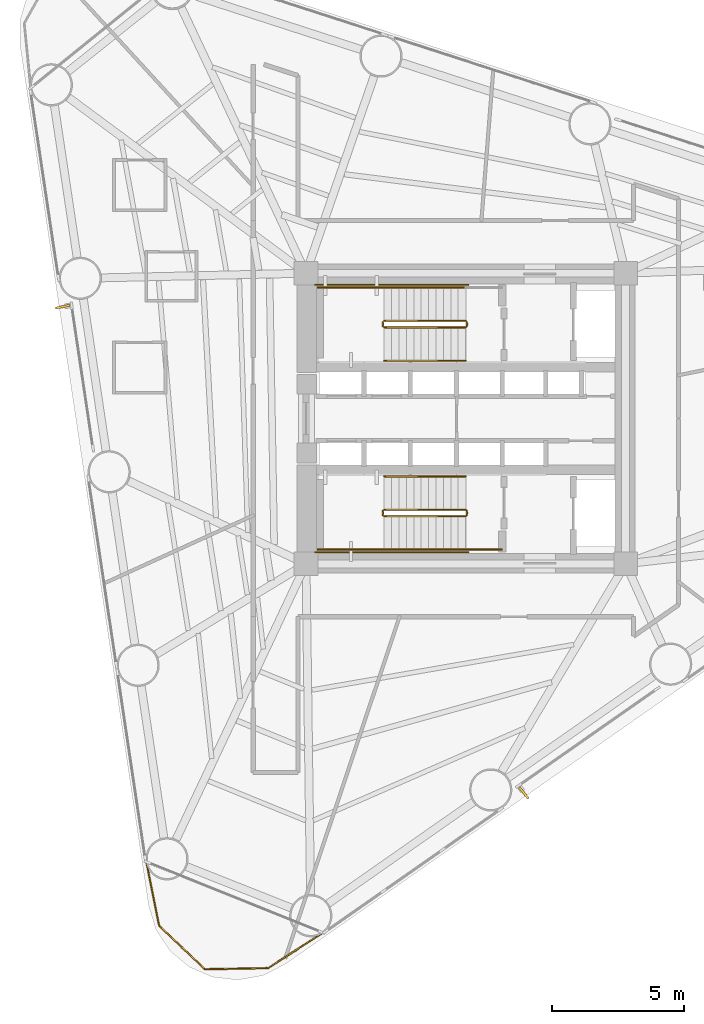
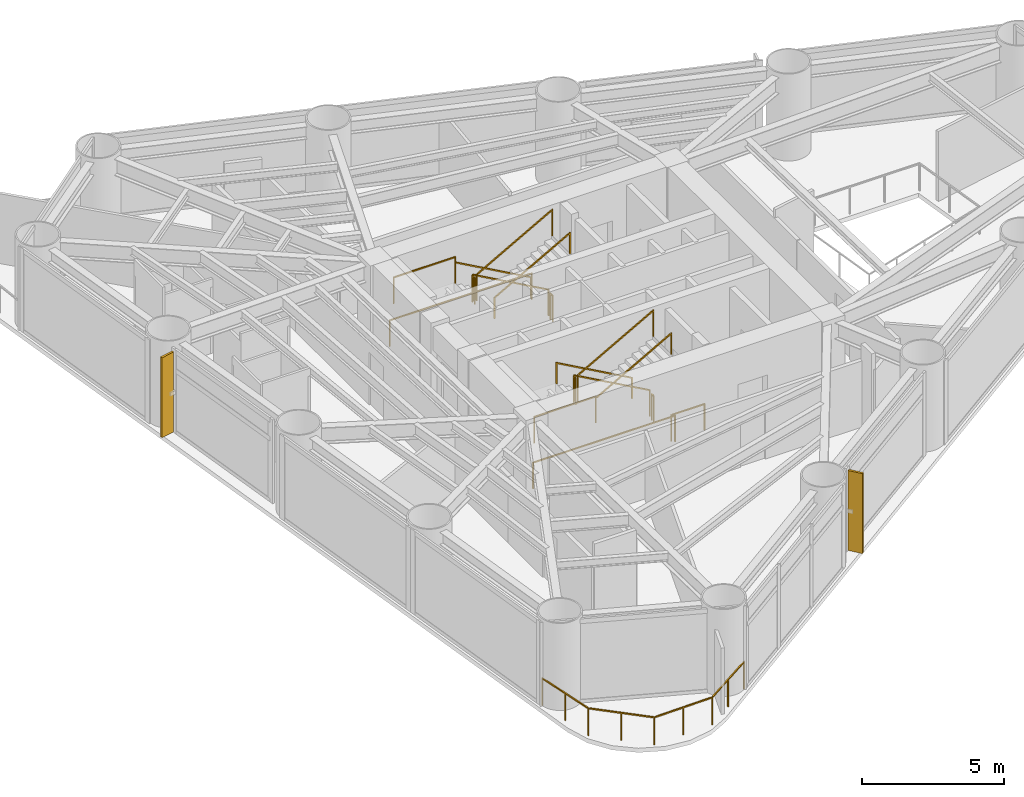
# One storey, part 8 of 9: 18 railings, 2 shading devices.
"""IFC4 building model written with IfcOpenShell, lengths in metres."""

from ifc_helpers import new_model, si_unit, direction, frame, origin, origin_2d, place, context, subcontext, project, spatial, rectangle, extrude, source, transform, mapped, material, material_profile, profile_set, type_object, element, save


model = new_model("IFC4")

# Units and contexts
model_context = context("Model", 3, precision=1e-05, world=origin(), true_north=direction((0.0, 1.0)))
body_context = subcontext(model_context, "Body", "Model", "MODEL_VIEW")
ifc_project = project(units=[si_unit("LENGTHUNIT", "METRE"), si_unit("AREAUNIT", "SQUARE_METRE"), si_unit("VOLUMEUNIT", "CUBIC_METRE"), si_unit("PLANEANGLEUNIT", "RADIAN"), si_unit("MASSUNIT", "GRAM", prefix="KILO")], contexts=[model_context])

# Site, building, storey
site_placement = place(None, origin())
site = spatial("IfcSite", under=ifc_project, at=site_placement, CompositionType="ELEMENT")
building_placement = place(site_placement, origin())
building = spatial("IfcBuilding", under=site, at=building_placement, Name="Yunling Apex Tower", CompositionType="ELEMENT")
storey_placement = place(building_placement, frame((0.0, 0.0, 58.550048828125)))
storey = spatial("IfcBuildingStorey", under=building, at=storey_placement, Name="L15", CompositionType="ELEMENT", Elevation=58.550048828125)

# Railings
ifc_material_1 = material(Name="Bronze anodised aluminium", Category="aluminium")
railing_type_1 = type_object("IfcRailingType", Name="RL-BAL-1200", PredefinedType="BALUSTRADE", material=ifc_material_1)
railing_1_placement = place(storey_placement, frame((-5.41552734375, -19.466796875, 0.0)))
element("IfcRailing", 1, at=railing_1_placement, inside=storey, type_object=railing_type_1, Name="RL-CRNSILL-L15-3", PredefinedType="BALUSTRADE", context=body_context, shape_type="SweptSolid", body=[
    extrude(rectangle(XDim=0.0439453125, YDim=0.0439453125, at=origin_2d()), origin(), (0.0, 0.0, 1.0), 1.199951171875),
    extrude(rectangle(XDim=0.0439453125, YDim=0.0439453125, at=origin_2d()), frame((-2.069091796875, -1.3349609375, 0.0)), (0.0, 0.0, 1.0), 1.199951171875),
    extrude(rectangle(XDim=0.050048828125, YDim=0.050048828125, at=origin_2d()), frame((-0.0322265625, -0.020751953125, 1.1748046875), z_axis=(-0.840284992051, -0.542144936464, 0.0), x_axis=(0.542144936464, -0.840284992051, 0.0)), (0.0, 0.0, 1.0), 2.3857421875),
    extrude(rectangle(XDim=0.0439453125, YDim=0.0439453125, at=origin_2d()), frame((-1.03466796875, -0.66748046875, 0.0)), (0.0, 0.0, 1.0), 1.14599609375),
    extrude(rectangle(XDim=0.0439453125, YDim=0.0439453125, at=origin_2d()), frame((-4.456787109375, -1.3779296875, 0.0)), (0.0, 0.0, 1.0), 1.199951171875),
    extrude(rectangle(XDim=0.050048828125, YDim=0.050048828125, at=origin_2d()), frame((-2.107421875, -1.335693359375, 1.1748046875), z_axis=(-0.999838112931, -0.017992996715, 0.0), x_axis=(0.017992996715, -0.999838112931, 0.0)), (0.0, 0.0, 1.0), 2.3115234375),
    extrude(rectangle(XDim=0.0439453125, YDim=0.0439453125, at=origin_2d()), frame((-3.262939453125, -1.3564453125, 0.0)), (0.0, 0.0, 1.0), 1.14599609375),
    extrude(rectangle(XDim=0.0439453125, YDim=0.0439453125, at=origin_2d()), frame((-6.1943359375, 0.271728515625, 0.0)), (0.0, 0.0, 1.0), 1.199951171875),
    extrude(rectangle(XDim=0.050048828125, YDim=0.050048828125, at=origin_2d()), frame((-4.484619140625, -1.3515625, 1.1748046875), z_axis=(-0.725210560755, 0.688527154562, 0.0), x_axis=(-0.688527154562, -0.725210560755, 0.0)), (0.0, 0.0, 1.0), 2.3193359375),
    extrude(rectangle(XDim=0.0439453125, YDim=0.0439453125, at=origin_2d()), frame((-5.32568359375, -0.55322265625, 0.0)), (0.0, 0.0, 1.0), 1.14599609375),
    extrude(rectangle(XDim=0.0439453125, YDim=0.0439453125, at=origin_2d()), frame((-6.6767578125, 2.685302734375, 0.0)), (0.0, 0.0, 1.0), 1.199951171875),
    extrude(rectangle(XDim=0.050048828125, YDim=0.050048828125, at=origin_2d()), frame((-6.201904296875, 0.309326171875, 1.1748046875), z_axis=(-0.196001682493, 0.980603559274, 0.0), x_axis=(-0.980603559274, -0.196001682493, 0.0)), (0.0, 0.0, 1.0), 2.384765625),
    extrude(rectangle(XDim=0.0439453125, YDim=0.0439453125, at=origin_2d()), frame((-6.435546875, 1.478515625, 0.0)), (0.0, 0.0, 1.0), 1.14599609375),
])
ifc_material_2 = material(Name="Steel Q355B", Category="steel")
railing_type_2 = type_object("IfcRailingType", Name="RL-GRD-1150", PredefinedType="GUARDRAIL", material=ifc_material_2)
railing_2_placement = place(storey_placement, frame((-0.010009765625, 3.699951171875, 0.15625)))
element("IfcRailing", 2, at=railing_2_placement, inside=storey, type_object=railing_type_2, Name="L15 ST-1 stair guard 1", PredefinedType="GUARDRAIL", context=body_context, shape_type="SweptSolid", body=[
    extrude(rectangle(XDim=0.0439453125, YDim=0.0439453125, at=origin_2d()), origin(), (0.0, 0.0, 1.0), 1.14990234375),
    extrude(rectangle(XDim=0.0439453125, YDim=0.0439453125, at=origin_2d()), frame((-3.080078125, 0.0, 1.71875)), (0.0, 0.0, 1.0), 1.14990234375),
    extrude(rectangle(XDim=0.050048828125, YDim=0.050048828125, at=origin_2d()), frame((-0.033447265625, 0.0, 1.1435546875), z_axis=(-0.873241540666, 0.0, 0.487287606713), x_axis=(0.0, -1.0, 0.0)), (0.0, 0.0, 1.0), 3.450439453125),
])
railing_3_placement = place(storey_placement, frame((-3.139892578125, 3.64990234375, 1.875)))
element("IfcRailing", 3, at=railing_3_placement, inside=storey, type_object=railing_type_2, Name="L15 ST-1 stair guard 2", PredefinedType="GUARDRAIL", context=body_context, shape_type="SweptSolid", body=[
    extrude(rectangle(XDim=0.0439453125, YDim=0.0439453125, at=origin_2d()), origin(), (0.0, 0.0, 1.0), 1.14990234375),
    extrude(rectangle(XDim=0.0439453125, YDim=0.0439453125, at=origin_2d()), frame((0.0, -0.14990234375, 0.0)), (0.0, 0.0, 1.0), 1.14990234375),
    extrude(rectangle(XDim=0.050048828125, YDim=0.050048828125, at=origin_2d()), frame((0.0, -0.038330078125, 1.125), z_axis=(0.0, -1.0, 0.0), x_axis=(1.0, 0.0, 0.0)), (0.0, 0.0, 1.0), 0.0732421875),
])
railing_4_placement = place(storey_placement, frame((-3.090087890625, 4.9599609375, 1.875)))
element("IfcRailing", 4, at=railing_4_placement, inside=storey, type_object=railing_type_2, Name="L15 ST-1 stair guard 3", PredefinedType="GUARDRAIL", context=body_context, shape_type="SweptSolid", body=[
    extrude(rectangle(XDim=0.0439453125, YDim=0.0439453125, at=origin_2d()), origin(), (0.0, 0.0, 1.0), 1.14990234375),
    extrude(rectangle(XDim=0.0439453125, YDim=0.0439453125, at=origin_2d()), frame((-2.510009765625, 0.0, 0.0)), (0.0, 0.0, 1.0), 1.14990234375),
    extrude(rectangle(XDim=0.050048828125, YDim=0.050048828125, at=origin_2d()), frame((-0.038330078125, 0.0, 1.125), z_axis=(-1.0, 0.0, 0.0), x_axis=(0.0, -1.0, 0.0)), (0.0, 0.0, 1.0), 2.433349609375),
])
railing_5_placement = place(storey_placement, frame((-3.090087890625, 3.449951171875, 2.03125)))
element("IfcRailing", 5, at=railing_5_placement, inside=storey, type_object=railing_type_2, Name="L15 ST-1 stair guard 4", PredefinedType="GUARDRAIL", context=body_context, shape_type="SweptSolid", body=[
    extrude(rectangle(XDim=0.0439453125, YDim=0.0439453125, at=origin_2d()), origin(), (0.0, 0.0, 1.0), 1.14990234375),
    extrude(rectangle(XDim=0.0439453125, YDim=0.0439453125, at=origin_2d()), frame((3.080078125, 0.0, 1.71875)), (0.0, 0.0, 1.0), 1.14990234375),
    extrude(rectangle(XDim=0.050048828125, YDim=0.050048828125, at=origin_2d()), frame((0.033447265625, 0.0, 1.1435546875), z_axis=(0.873241540666, 0.0, 0.487287606713), x_axis=(0.0, 1.0, 0.0)), (0.0, 0.0, 1.0), 3.450439453125),
])
railing_6_placement = place(storey_placement, frame((0.0400390625, 3.64990234375, 0.0)))
element("IfcRailing", 6, at=railing_6_placement, inside=storey, type_object=railing_type_2, Name="L15 ST-1 stair guard 5", PredefinedType="GUARDRAIL", context=body_context, shape_type="SweptSolid", body=[
    extrude(rectangle(XDim=0.0439453125, YDim=0.0439453125, at=origin_2d()), origin(), (0.0, 0.0, 1.0), 1.14990234375),
    extrude(rectangle(XDim=0.0439453125, YDim=0.0439453125, at=origin_2d()), frame((0.0, -0.14990234375, 0.0)), (0.0, 0.0, 1.0), 1.14990234375),
    extrude(rectangle(XDim=0.050048828125, YDim=0.050048828125, at=origin_2d()), frame((0.0, -0.038330078125, 1.125), z_axis=(0.0, -1.0, 0.0), x_axis=(1.0, 0.0, 0.0)), (0.0, 0.0, 1.0), 0.0732421875),
])
railing_7_placement = place(storey_placement, frame((0.090087890625, 5.06005859375, 0.0)))
element("IfcRailing", 7, at=railing_7_placement, inside=storey, type_object=railing_type_2, Name="L15 ST-1 stair guard 7", PredefinedType="GUARDRAIL", context=body_context, shape_type="SweptSolid", body=[
    extrude(rectangle(XDim=0.0439453125, YDim=0.0439453125, at=origin_2d()), origin(), (0.0, 0.0, 1.0), 1.14990234375),
    extrude(rectangle(XDim=0.0439453125, YDim=0.0439453125, at=origin_2d()), frame((-5.7900390625, 0.0, 0.0)), (0.0, 0.0, 1.0), 1.14990234375),
    extrude(rectangle(XDim=0.050048828125, YDim=0.050048828125, at=origin_2d()), frame((-0.038330078125, 0.0, 1.125), z_axis=(-1.0, 0.0, 0.0), x_axis=(0.0, -1.0, 0.0)), (0.0, 0.0, 1.0), 5.71337890625),
])
railing_8_placement = place(storey_placement, frame((-0.010009765625, -3.449951171875, 0.15625)))
element("IfcRailing", 8, at=railing_8_placement, inside=storey, type_object=railing_type_2, Name="L15 ST-2 stair guard 1", PredefinedType="GUARDRAIL", context=body_context, shape_type="SweptSolid", body=[
    extrude(rectangle(XDim=0.0439453125, YDim=0.0439453125, at=origin_2d()), origin(), (0.0, 0.0, 1.0), 1.14990234375),
    extrude(rectangle(XDim=0.0439453125, YDim=0.0439453125, at=origin_2d()), frame((-3.080078125, 0.0, 1.71875)), (0.0, 0.0, 1.0), 1.14990234375),
    extrude(rectangle(XDim=0.050048828125, YDim=0.050048828125, at=origin_2d()), frame((-0.033447265625, 0.0, 1.1435546875), z_axis=(-0.873241540666, 0.0, 0.487287606713), x_axis=(0.0, -1.0, 0.0)), (0.0, 0.0, 1.0), 3.450439453125),
])
railing_9_placement = place(storey_placement, frame((-3.139892578125, -3.5, 1.875)))
element("IfcRailing", 9, at=railing_9_placement, inside=storey, type_object=railing_type_2, Name="L15 ST-2 stair guard 2", PredefinedType="GUARDRAIL", context=body_context, shape_type="SweptSolid", body=[
    extrude(rectangle(XDim=0.0439453125, YDim=0.0439453125, at=origin_2d()), origin(), (0.0, 0.0, 1.0), 1.14990234375),
    extrude(rectangle(XDim=0.0439453125, YDim=0.0439453125, at=origin_2d()), frame((0.0, -0.14990234375, 0.0)), (0.0, 0.0, 1.0), 1.14990234375),
    extrude(rectangle(XDim=0.050048828125, YDim=0.050048828125, at=origin_2d()), frame((0.0, -0.038330078125, 1.125), z_axis=(0.0, -1.0, 0.0), x_axis=(1.0, 0.0, 0.0)), (0.0, 0.0, 1.0), 0.0732421875),
])
railing_10_placement = place(storey_placement, frame((-3.090087890625, -4.9599609375, 1.875)))
element("IfcRailing", 10, at=railing_10_placement, inside=storey, type_object=railing_type_2, Name="L15 ST-2 stair guard 3", PredefinedType="GUARDRAIL", context=body_context, shape_type="SweptSolid", body=[
    extrude(rectangle(XDim=0.0439453125, YDim=0.0439453125, at=origin_2d()), origin(), (0.0, 0.0, 1.0), 1.14990234375),
    extrude(rectangle(XDim=0.0439453125, YDim=0.0439453125, at=origin_2d()), frame((-2.510009765625, 0.0, 0.0)), (0.0, 0.0, 1.0), 1.14990234375),
    extrude(rectangle(XDim=0.050048828125, YDim=0.050048828125, at=origin_2d()), frame((-0.038330078125, 0.0, 1.125), z_axis=(-1.0, 0.0, 0.0), x_axis=(0.0, -1.0, 0.0)), (0.0, 0.0, 1.0), 2.433349609375),
])
railing_11_placement = place(storey_placement, frame((-3.090087890625, -3.699951171875, 2.03125)))
element("IfcRailing", 11, at=railing_11_placement, inside=storey, type_object=railing_type_2, Name="L15 ST-2 stair guard 4", PredefinedType="GUARDRAIL", context=body_context, shape_type="SweptSolid", body=[
    extrude(rectangle(XDim=0.0439453125, YDim=0.0439453125, at=origin_2d()), origin(), (0.0, 0.0, 1.0), 1.14990234375),
    extrude(rectangle(XDim=0.0439453125, YDim=0.0439453125, at=origin_2d()), frame((3.080078125, 0.0, 1.71875)), (0.0, 0.0, 1.0), 1.14990234375),
    extrude(rectangle(XDim=0.050048828125, YDim=0.050048828125, at=origin_2d()), frame((0.033447265625, 0.0, 1.1435546875), z_axis=(0.873241540666, 0.0, 0.487287606713), x_axis=(0.0, 1.0, 0.0)), (0.0, 0.0, 1.0), 3.450439453125),
])
railing_12_placement = place(storey_placement, frame((0.0400390625, -3.5, 0.0)))
element("IfcRailing", 12, at=railing_12_placement, inside=storey, type_object=railing_type_2, Name="L15 ST-2 stair guard 5", PredefinedType="GUARDRAIL", context=body_context, shape_type="SweptSolid", body=[
    extrude(rectangle(XDim=0.0439453125, YDim=0.0439453125, at=origin_2d()), origin(), (0.0, 0.0, 1.0), 1.14990234375),
    extrude(rectangle(XDim=0.0439453125, YDim=0.0439453125, at=origin_2d()), frame((0.0, -0.14990234375, 0.0)), (0.0, 0.0, 1.0), 1.14990234375),
    extrude(rectangle(XDim=0.050048828125, YDim=0.050048828125, at=origin_2d()), frame((0.0, -0.038330078125, 1.125), z_axis=(0.0, -1.0, 0.0), x_axis=(1.0, 0.0, 0.0)), (0.0, 0.0, 1.0), 0.0732421875),
])
railing_13_placement = place(storey_placement, frame((1.35009765625, -4.9599609375, 0.0)))
element("IfcRailing", 13, at=railing_13_placement, inside=storey, type_object=railing_type_2, Name="L15 ST-2 stair guard 6", PredefinedType="GUARDRAIL", context=body_context, shape_type="SweptSolid", body=[
    extrude(rectangle(XDim=0.0439453125, YDim=0.0439453125, at=origin_2d()), origin(), (0.0, 0.0, 1.0), 1.14990234375),
    extrude(rectangle(XDim=0.0439453125, YDim=0.0439453125, at=origin_2d()), frame((-1.360107421875, 0.0, 0.0)), (0.0, 0.0, 1.0), 1.14990234375),
    extrude(rectangle(XDim=0.050048828125, YDim=0.050048828125, at=origin_2d()), frame((-0.038330078125, 0.0, 1.125), z_axis=(-1.0, 0.0, 0.0), x_axis=(0.0, -1.0, 0.0)), (0.0, 0.0, 1.0), 1.283447265625),
])
railing_14_placement = place(storey_placement, frame((0.090087890625, -5.06005859375, 0.0)))
element("IfcRailing", 14, at=railing_14_placement, inside=storey, type_object=railing_type_2, Name="L15 ST-2 stair guard 7", PredefinedType="GUARDRAIL", context=body_context, shape_type="SweptSolid", body=[
    extrude(rectangle(XDim=0.0439453125, YDim=0.0439453125, at=origin_2d()), origin(), (0.0, 0.0, 1.0), 1.14990234375),
    extrude(rectangle(XDim=0.0439453125, YDim=0.0439453125, at=origin_2d()), frame((-5.7900390625, 0.0, 0.0)), (0.0, 0.0, 1.0), 1.14990234375),
    extrude(rectangle(XDim=0.050048828125, YDim=0.050048828125, at=origin_2d()), frame((-0.038330078125, 0.0, 1.125), z_axis=(-1.0, 0.0, 0.0), x_axis=(0.0, -1.0, 0.0)), (0.0, 0.0, 1.0), 5.71337890625),
])
ifc_material_3 = material(Name="Silver anodised aluminium", Category="aluminium")
railing_type_3 = type_object("IfcRailingType", Name="RL-HND-900", PredefinedType="HANDRAIL", material=ifc_material_3)
railing_15_placement = place(storey_placement, frame((-0.010009765625, 4.9599609375, 0.15625)))
element("IfcRailing", 15, at=railing_15_placement, inside=storey, type_object=railing_type_3, Name="L15 ST-1 stair handrail 1", PredefinedType="HANDRAIL", context=body_context, shape_type="SweptSolid", body=[
    extrude(rectangle(XDim=0.0439453125, YDim=0.0439453125, at=origin_2d()), origin(), (0.0, 0.0, 1.0), 0.919921875),
    extrude(rectangle(XDim=0.0439453125, YDim=0.0439453125, at=origin_2d()), frame((-3.080078125, 0.0, 1.71875)), (0.0, 0.0, 1.0), 0.919921875),
    extrude(rectangle(XDim=0.050048828125, YDim=0.050048828125, at=origin_2d()), frame((-0.033447265625, 0.0, 0.91357421875), z_axis=(-0.873241540666, 0.0, 0.487287606713), x_axis=(0.0, -1.0, 0.0)), (0.0, 0.0, 1.0), 3.450439453125),
])
railing_16_placement = place(storey_placement, frame((-3.090087890625, 2.18994140625, 2.03125)))
element("IfcRailing", 16, at=railing_16_placement, inside=storey, type_object=railing_type_3, Name="L15 ST-1 stair handrail 2", PredefinedType="HANDRAIL", context=body_context, shape_type="SweptSolid", body=[
    extrude(rectangle(XDim=0.0439453125, YDim=0.0439453125, at=origin_2d()), origin(), (0.0, 0.0, 1.0), 0.919921875),
    extrude(rectangle(XDim=0.0439453125, YDim=0.0439453125, at=origin_2d()), frame((3.080078125, 0.0, 1.71875)), (0.0, 0.0, 1.0), 0.919921875),
    extrude(rectangle(XDim=0.050048828125, YDim=0.050048828125, at=origin_2d()), frame((0.033447265625, 0.0, 0.91357421875), z_axis=(0.873241540666, 0.0, 0.487287606713), x_axis=(0.0, 1.0, 0.0)), (0.0, 0.0, 1.0), 3.450439453125),
])
railing_17_placement = place(storey_placement, frame((-0.010009765625, -2.18994140625, 0.15625)))
element("IfcRailing", 17, at=railing_17_placement, inside=storey, type_object=railing_type_3, Name="L15 ST-2 stair handrail 1", PredefinedType="HANDRAIL", context=body_context, shape_type="SweptSolid", body=[
    extrude(rectangle(XDim=0.0439453125, YDim=0.0439453125, at=origin_2d()), origin(), (0.0, 0.0, 1.0), 0.919921875),
    extrude(rectangle(XDim=0.0439453125, YDim=0.0439453125, at=origin_2d()), frame((-3.080078125, 0.0, 1.71875)), (0.0, 0.0, 1.0), 0.919921875),
    extrude(rectangle(XDim=0.050048828125, YDim=0.050048828125, at=origin_2d()), frame((-0.033447265625, 0.0, 0.91357421875), z_axis=(-0.873241540666, 0.0, 0.487287606713), x_axis=(0.0, -1.0, 0.0)), (0.0, 0.0, 1.0), 3.450439453125),
])
railing_18_placement = place(storey_placement, frame((-3.090087890625, -4.9599609375, 2.03125)))
element("IfcRailing", 18, at=railing_18_placement, inside=storey, type_object=railing_type_3, Name="L15 ST-2 stair handrail 2", PredefinedType="HANDRAIL", context=body_context, shape_type="SweptSolid", body=[
    extrude(rectangle(XDim=0.0439453125, YDim=0.0439453125, at=origin_2d()), origin(), (0.0, 0.0, 1.0), 0.919921875),
    extrude(rectangle(XDim=0.0439453125, YDim=0.0439453125, at=origin_2d()), frame((3.080078125, 0.0, 1.71875)), (0.0, 0.0, 1.0), 0.919921875),
    extrude(rectangle(XDim=0.050048828125, YDim=0.050048828125, at=origin_2d()), frame((0.033447265625, 0.0, 0.91357421875), z_axis=(0.873241540666, 0.0, 0.487287606713), x_axis=(0.0, 1.0, 0.0)), (0.0, 0.0, 1.0), 3.450439453125),
])

# Shading devices
ifc_material_profile = material_profile(ifc_material_1, rectangle(XDim=0.0849609375, YDim=0.550048828125, at=origin_2d()))
ifc_profile_set = profile_set([ifc_material_profile], Name="Bronze anodised aluminium")
shading_device_type = type_object("IfcShadingDeviceType", Name="FN-BRZ-3", PredefinedType="USERDEFINED", material=ifc_profile_set)
shared_shape = source(origin(), body_context, "Body", "SweptSolid", [
    extrude(rectangle(XDim=0.0849609375, YDim=0.550048828125, at=origin_2d()), origin(), (0.0, 0.0, 1.0), 3.445068359375),
])
for number, where, z_axis, x_axis, name in (
    (19, (2.197509765625, -14.17431640625, 0.06005859375), (0.0, 0.0, 1.0), (0.780321270022, 0.625378857614, 0.0), "CW-L15-F1-B2-FIN-01"),
    (20, (-15.25830078125, 4.233642578125, 0.06005859375), (0.0, 0.0, 1.0), (0.212177672156, -0.977231106463, 0.0), "CW-L15-F3-B2-FIN-01"),
):
    element("IfcShadingDevice", number, at=place(storey_placement, frame(where, z_axis=z_axis, x_axis=x_axis)), inside=storey, type_object=shading_device_type, Name=name, ObjectType="FIN", PredefinedType="USERDEFINED", context=body_context, shape_type="MappedRepresentation", body=[
        mapped(shared_shape, transform((0.0, 0.0, 0.0), scale=1.0)),
    ])

save(model, "model.ifc")
